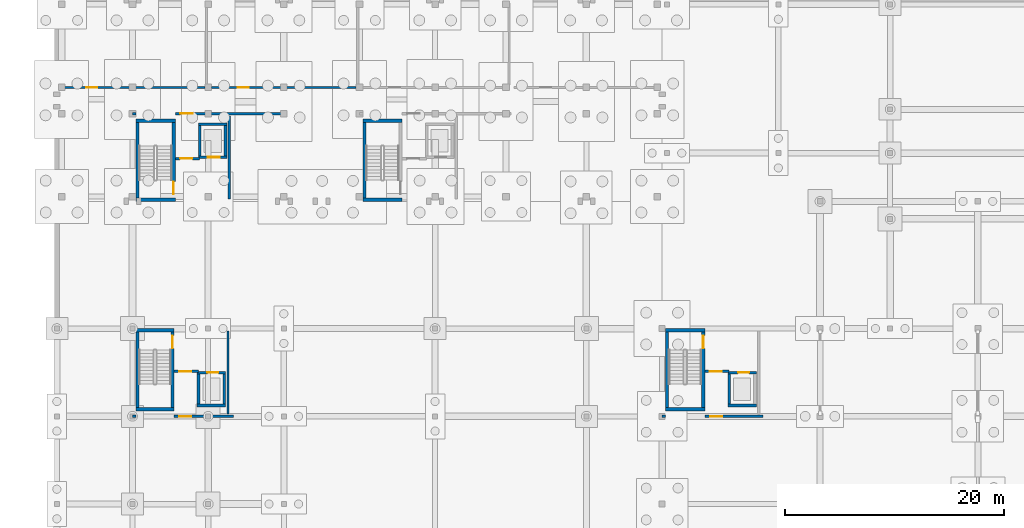
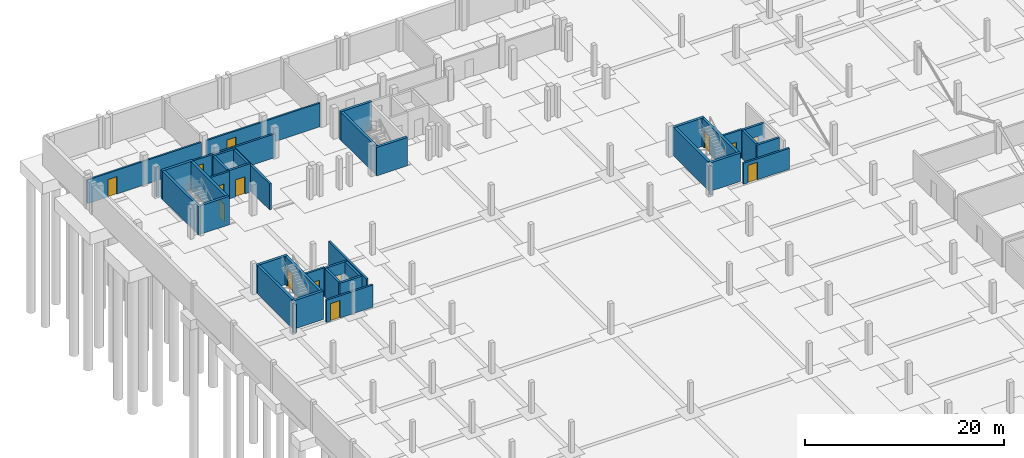
# One storey, part 21 of 38: 39 walls, 14 doors, 14 openings.
"""IFC4 building model written with IfcOpenShell, lengths in metres."""

from ifc_helpers import new_model, si_unit, direction, frame, frame_2d, origin, origin_with_axes, place, context, subcontext, project, spatial, rectangle, extrude, material, layer, layer_set, type_object, element, fill, save


model = new_model("IFC4")

# Units and contexts
model_context = context("Model", 3, precision=1e-05, world=origin(), true_north=direction((0.0, 1.0)))
body_context = subcontext(model_context, "Body", "Model", "MODEL_VIEW")
ifc_project = project(units=[si_unit("LENGTHUNIT", "METRE"), si_unit("AREAUNIT", "SQUARE_METRE"), si_unit("VOLUMEUNIT", "CUBIC_METRE"), si_unit("PLANEANGLEUNIT", "RADIAN"), si_unit("MASSUNIT", "GRAM", prefix="KILO")], contexts=[model_context])

# Site, building, storey
site_placement = place(None, origin())
site = spatial("IfcSite", under=ifc_project, at=site_placement, CompositionType="ELEMENT")
building_placement = place(site_placement, origin())
building = spatial("IfcBuilding", under=site, at=building_placement, Name="Zavelmont Quarter", CompositionType="ELEMENT")
storey_placement = place(building_placement, frame((0.0, 0.0, -3.800048828125)))
storey = spatial("IfcBuildingStorey", under=building, at=storey_placement, Name="B01", CompositionType="ELEMENT", Elevation=-3.800048828125)

# Wall, opening, door
ifc_material_1 = material(Name="Calcium-silicate blockwork and acoustic plaster", Category="masonry")
ifc_layer_1 = layer(ifc_material_1, 0.199951171875)
ifc_layer_set_1 = layer_set([ifc_layer_1], Name="Calcium-silicate blockwork and acoustic plaster")
wall_type_1 = type_object("IfcWallType", Name="IW01", PredefinedType="PARTITIONING", material=ifc_layer_set_1)
wall_1_placement = place(storey_placement, frame((0.300048828125, 108.0, 0.0), z_axis=(0.0, 0.0, 1.0), x_axis=(1.0, 0.0, 0.0)))
wall_1 = element("IfcWall", 1, at=wall_1_placement, inside=storey, type_object=wall_type_1, Name="B01 Basement storage wall IW01", PredefinedType="PARTITIONING", context=body_context, shape_type="SweptSolid", body=[
    extrude(rectangle(XDim=13.199951171875, YDim=0.199951171875, at=frame_2d((6.60009765625, 0.0))), origin(), (0.0, 0.0, 1.0), 2.920166015625),
])
opening_1_placement = place(wall_1_placement, frame((2.39990234375, 0.0, 0.0)))
opening_1 = element("IfcOpeningElement", 2, at=opening_1_placement, cuts=wall_1, Name="Opening DR07", PredefinedType="OPENING", context=body_context, shape_type="SweptSolid", body=[
    extrude(rectangle(XDim=1.0, YDim=2.14990234375, at=frame_2d((0.5, 1.074951171875))), frame((0.0, 0.11181640625, 0.0), z_axis=(0.0, -1.0, 0.0), x_axis=(1.0, 0.0, 0.0)), (0.0, 0.0, 1.0), 0.223876953125),
])
ifc_material_2 = material(Name="Solid-core oak fire leaf in steel frame", Category="steel")
door_type_1 = type_object("IfcDoorType", Name="DR07", OperationType="NOTDEFINED", PredefinedType="DOOR", material=ifc_material_2)
door_1_placement = place(opening_1_placement, frame((1.0, 0.0, 0.0), z_axis=(0.0, 0.0, 1.0), x_axis=(-1.0, 0.0, 0.0)))
door_1 = element("IfcDoor", 3, at=door_1_placement, inside=storey, type_object=door_type_1, Name="B01 door DR07", OperationType="SINGLE_SWING_RIGHT", OverallHeight=2.14990234375, OverallWidth=1.0, PredefinedType="DOOR", context=body_context, shape_type="SweptSolid", body=[
    extrude(rectangle(XDim=1.0, YDim=2.14990234375, at=frame_2d((0.5, 1.074951171875))), frame((0.0, 0.02490234375, 0.0), z_axis=(0.0, -1.0, 0.0), x_axis=(1.0, 0.0, 0.0)), (0.0, 0.0, 1.0), 0.050048828125),
])
fill(opening_1, door_1)

wall_2_placement = place(storey_placement, frame((14.10009765625, 108.0, 0.0), z_axis=(0.0, 0.0, 1.0), x_axis=(1.0, 0.0, 0.0)))
wall_2 = element("IfcWall", 4, at=wall_2_placement, inside=storey, type_object=wall_type_1, Name="B01 Basement storage wall IW01", PredefinedType="PARTITIONING", context=body_context, shape_type="SweptSolid", body=[
    extrude(rectangle(XDim=13.199951171875, YDim=0.199951171875, at=frame_2d((6.60009765625, 0.0))), origin(), (0.0, 0.0, 1.0), 2.920166015625),
])
opening_2_placement = place(wall_2_placement, frame((2.39990234375, 0.0, 0.0)))
opening_2 = element("IfcOpeningElement", 5, at=opening_2_placement, cuts=wall_2, Name="Opening DR07", PredefinedType="OPENING", context=body_context, shape_type="SweptSolid", body=[
    extrude(rectangle(XDim=1.0, YDim=2.14990234375, at=frame_2d((0.5, 1.074951171875))), frame((0.0, 0.11181640625, 0.0), z_axis=(0.0, -1.0, 0.0), x_axis=(1.0, 0.0, 0.0)), (0.0, 0.0, 1.0), 0.223876953125),
])
door_2_placement = place(opening_2_placement, origin_with_axes())
door_2 = element("IfcDoor", 6, at=door_2_placement, inside=storey, type_object=door_type_1, Name="B01 door DR07", OperationType="SINGLE_SWING_RIGHT", OverallHeight=2.14990234375, OverallWidth=1.0, PredefinedType="DOOR", context=body_context, shape_type="SweptSolid", body=[
    extrude(rectangle(XDim=1.0, YDim=2.14990234375, at=frame_2d((0.5, 1.074951171875))), frame((0.0, 0.02490234375, 0.0), z_axis=(0.0, -1.0, 0.0), x_axis=(1.0, 0.0, 0.0)), (0.0, 0.0, 1.0), 0.050048828125),
])
fill(opening_2, door_2)

# Wall
ifc_material_3 = material(Name="Reinforced masonry fire compartment wall", Category="masonry")
ifc_layer_2 = layer(ifc_material_3, 0.22509765625)
ifc_layer_set_2 = layer_set([ifc_layer_2], Name="Reinforced masonry fire compartment wall")
wall_type_2 = type_object("IfcWallType", Name="IW02", PredefinedType="PARTITIONING", material=ifc_layer_set_2)
wall_3_placement = place(storey_placement, frame((15.7099609375, 97.800048828125, 0.0), z_axis=(0.0, 0.0, 1.0), x_axis=(0.0, 1.0, 0.0)))
element("IfcWall", 7, at=wall_3_placement, inside=storey, type_object=wall_type_2, Name="B01 Firefighting lobby enclosure wall IW02", PredefinedType="PARTITIONING", context=body_context, shape_type="SweptSolid", body=[
    extrude(rectangle(XDim=7.599853515625, YDim=0.22509765625, at=frame_2d((3.7998046875, 0.0))), origin(), (0.0, 0.0, 1.0), 3.18994140625),
])

# Wall, opening, door
wall_4_placement = place(storey_placement, frame((10.800048828125, 101.5, 0.0), z_axis=(0.0, 0.0, 1.0), x_axis=(1.0, 0.0, 0.0)))
wall_4 = element("IfcWall", 8, at=wall_4_placement, inside=storey, type_object=wall_type_2, Name="B01 Firefighting lobby threshold wall IW02", PredefinedType="PARTITIONING", context=body_context, shape_type="SweptSolid", body=[
    extrude(rectangle(XDim=2.199951171875, YDim=0.22509765625, at=frame_2d((1.10009765625, 0.0))), origin(), (0.0, 0.0, 1.0), 3.47998046875),
])
opening_3_placement = place(wall_4_placement, frame((0.449951171875, 0.0, 0.0)))
opening_3 = element("IfcOpeningElement", 9, at=opening_3_placement, cuts=wall_4, Name="Opening DR10", PredefinedType="OPENING", context=body_context, shape_type="SweptSolid", body=[
    extrude(rectangle(XDim=1.10009765625, YDim=2.14990234375, at=frame_2d((0.550048828125, 1.074951171875))), frame((0.0, 0.12451171875, 0.0), z_axis=(0.0, -1.0, 0.0), x_axis=(1.0, 0.0, 0.0)), (0.0, 0.0, 1.0), 0.2490234375),
])
ifc_material_4 = material(Name="Painted steel lobby fire door", Category="steel")
door_type_2 = type_object("IfcDoorType", Name="DR10", OperationType="NOTDEFINED", PredefinedType="DOOR", material=ifc_material_4)
door_3_placement = place(opening_3_placement, frame((1.10009765625, 0.0, 0.0), z_axis=(0.0, 0.0, 1.0), x_axis=(-1.0, 0.0, 0.0)))
door_3 = element("IfcDoor", 10, at=door_3_placement, inside=storey, type_object=door_type_2, Name="Firefighting lobby fire door", OperationType="SINGLE_SWING_LEFT", OverallHeight=2.14990234375, OverallWidth=1.10009765625, PredefinedType="DOOR", context=body_context, shape_type="SweptSolid", body=[
    extrude(rectangle(XDim=1.10009765625, YDim=2.14990234375, at=frame_2d((0.550048828125, 1.074951171875))), frame((0.0, 0.02490234375, 0.0), z_axis=(0.0, -1.0, 0.0), x_axis=(1.0, 0.0, 0.0)), (0.0, 0.0, 1.0), 0.050048828125),
])
fill(opening_3, door_3)

# Wall
wall_5_placement = place(storey_placement, frame((6.89990234375, 105.60009765625, 0.0), z_axis=(0.0, 0.0, 1.0), x_axis=(1.0, 0.0, 0.0)))
element("IfcWall", 11, at=wall_5_placement, inside=storey, type_object=wall_type_2, Name="B01 Core corridor wall IW02", PredefinedType="PARTITIONING", context=body_context, shape_type="SweptSolid", body=[
    extrude(rectangle(XDim=0.300048828125, YDim=0.22509765625, at=frame_2d((0.14990234375, 0.0))), origin(), (0.0, 0.0, 1.0), 3.47998046875),
])

# Wall, opening, door
wall_6_placement = place(storey_placement, frame((10.800048828125, 105.60009765625, 0.0), z_axis=(0.0, 0.0, 1.0), x_axis=(1.0, 0.0, 0.0)))
wall_6 = element("IfcWall", 12, at=wall_6_placement, inside=storey, type_object=wall_type_2, Name="B01 Core corridor fire wall IW02", PredefinedType="PARTITIONING", context=body_context, shape_type="SweptSolid", body=[
    extrude(rectangle(XDim=9.89990234375, YDim=0.22509765625, at=frame_2d((4.949951171875, 0.0))), origin(), (0.0, 0.0, 1.0), 2.920166015625),
])
opening_4_placement = place(wall_6_placement, frame((0.47509765625, 0.0, 0.0)))
opening_4 = element("IfcOpeningElement", 13, at=opening_4_placement, cuts=wall_6, Name="Opening DR10", PredefinedType="OPENING", context=body_context, shape_type="SweptSolid", body=[
    extrude(rectangle(XDim=1.10009765625, YDim=2.14990234375, at=frame_2d((0.550048828125, 1.074951171875))), frame((0.0, 0.12451171875, 0.0), z_axis=(0.0, -1.0, 0.0), x_axis=(1.0, 0.0, 0.0)), (0.0, 0.0, 1.0), 0.2490234375),
])
door_4_placement = place(opening_4_placement, frame((1.10009765625, 0.0, 0.0), z_axis=(0.0, 0.0, 1.0), x_axis=(-1.0, 0.0, 0.0)))
door_4 = element("IfcDoor", 14, at=door_4_placement, inside=storey, type_object=door_type_2, Name="Core vestibule fire door", OperationType="SINGLE_SWING_RIGHT", OverallHeight=2.14990234375, OverallWidth=1.10009765625, PredefinedType="DOOR", context=body_context, shape_type="SweptSolid", body=[
    extrude(rectangle(XDim=1.10009765625, YDim=2.14990234375, at=frame_2d((0.550048828125, 1.074951171875))), frame((0.0, 0.02490234375, 0.0), z_axis=(0.0, -1.0, 0.0), x_axis=(1.0, 0.0, 0.0)), (0.0, 0.0, 1.0), 0.050048828125),
])
fill(opening_4, door_4)

wall_7_placement = place(storey_placement, frame((59.10009765625, 82.10009765625, 0.0), z_axis=(0.0, 0.0, 1.0), x_axis=(1.0, 0.0, 0.0)))
wall_7 = element("IfcWall", 15, at=wall_7_placement, inside=storey, type_object=wall_type_2, Name="B01 Firefighting lobby threshold wall IW02", PredefinedType="PARTITIONING", context=body_context, shape_type="SweptSolid", body=[
    extrude(rectangle(XDim=2.199951171875, YDim=0.22509765625, at=frame_2d((1.10009765625, 0.0))), origin(), (0.0, 0.0, 1.0), 3.47998046875),
])
opening_5_placement = place(wall_7_placement, frame((0.449951171875, 0.0, 0.0)))
opening_5 = element("IfcOpeningElement", 16, at=opening_5_placement, cuts=wall_7, Name="Opening DR10", PredefinedType="OPENING", context=body_context, shape_type="SweptSolid", body=[
    extrude(rectangle(XDim=1.10009765625, YDim=2.14990234375, at=frame_2d((0.550048828125, 1.074951171875))), frame((0.0, 0.12451171875, 0.0), z_axis=(0.0, -1.0, 0.0), x_axis=(1.0, 0.0, 0.0)), (0.0, 0.0, 1.0), 0.2490234375),
])
door_5_placement = place(opening_5_placement, origin_with_axes())
door_5 = element("IfcDoor", 17, at=door_5_placement, inside=storey, type_object=door_type_2, Name="Firefighting lobby fire door", OperationType="SINGLE_SWING_LEFT", OverallHeight=2.14990234375, OverallWidth=1.10009765625, PredefinedType="DOOR", context=body_context, shape_type="SweptSolid", body=[
    extrude(rectangle(XDim=1.10009765625, YDim=2.14990234375, at=frame_2d((0.550048828125, 1.074951171875))), frame((0.0, 0.02490234375, 0.0), z_axis=(0.0, -1.0, 0.0), x_axis=(1.0, 0.0, 0.0)), (0.0, 0.0, 1.0), 0.050048828125),
])
fill(opening_5, door_5)

# Wall
wall_8_placement = place(storey_placement, frame((55.199951171875, 78.0, 0.0), z_axis=(0.0, 0.0, 1.0), x_axis=(1.0, 0.0, 0.0)))
element("IfcWall", 18, at=wall_8_placement, inside=storey, type_object=wall_type_2, Name="B01 Core corridor wall IW02", PredefinedType="PARTITIONING", context=body_context, shape_type="SweptSolid", body=[
    extrude(rectangle(XDim=0.300048828125, YDim=0.22509765625, at=frame_2d((0.14990234375, 0.0))), origin(), (0.0, 0.0, 1.0), 3.47998046875),
])

# Wall, opening, door
wall_9_placement = place(storey_placement, frame((59.10009765625, 78.0, 0.0), z_axis=(0.0, 0.0, 1.0), x_axis=(1.0, 0.0, 0.0)))
wall_9 = element("IfcWall", 19, at=wall_9_placement, inside=storey, type_object=wall_type_2, Name="B01 Core corridor fire wall IW02", PredefinedType="PARTITIONING", context=body_context, shape_type="SweptSolid", body=[
    extrude(rectangle(XDim=5.2998046875, YDim=0.22509765625, at=frame_2d((2.64990234375, 0.0))), origin(), (0.0, 0.0, 1.0), 2.570068359375),
])
opening_6_placement = place(wall_9_placement, frame((0.47509765625, 0.0, 0.0)))
opening_6 = element("IfcOpeningElement", 20, at=opening_6_placement, cuts=wall_9, Name="Opening DR10", PredefinedType="OPENING", context=body_context, shape_type="SweptSolid", body=[
    extrude(rectangle(XDim=1.10009765625, YDim=2.14990234375, at=frame_2d((0.550048828125, 1.074951171875))), frame((0.0, 0.12451171875, 0.0), z_axis=(0.0, -1.0, 0.0), x_axis=(1.0, 0.0, 0.0)), (0.0, 0.0, 1.0), 0.2490234375),
])
door_6_placement = place(opening_6_placement, origin_with_axes())
door_6 = element("IfcDoor", 21, at=door_6_placement, inside=storey, type_object=door_type_2, Name="Core vestibule fire door", OperationType="SINGLE_SWING_RIGHT", OverallHeight=2.14990234375, OverallWidth=1.10009765625, PredefinedType="DOOR", context=body_context, shape_type="SweptSolid", body=[
    extrude(rectangle(XDim=1.10009765625, YDim=2.14990234375, at=frame_2d((0.550048828125, 1.074951171875))), frame((0.0, 0.02490234375, 0.0), z_axis=(0.0, -1.0, 0.0), x_axis=(1.0, 0.0, 0.0)), (0.0, 0.0, 1.0), 0.050048828125),
])
fill(opening_6, door_6)

# Wall
wall_10_placement = place(storey_placement, frame((15.610107421875, 78.199951171875, 0.0), z_axis=(0.0, 0.0, 1.0), x_axis=(0.0, 1.0, 0.0)))
element("IfcWall", 22, at=wall_10_placement, inside=storey, type_object=wall_type_2, Name="B01 Firefighting lobby enclosure wall IW02", PredefinedType="PARTITIONING", context=body_context, shape_type="SweptSolid", body=[
    extrude(rectangle(XDim=7.60009765625, YDim=0.22509765625, at=frame_2d((3.800048828125, 0.0))), origin(), (0.0, 0.0, 1.0), 3.47998046875),
])

# Wall, opening, door
wall_11_placement = place(storey_placement, frame((10.699951171875, 82.10009765625, 0.0), z_axis=(0.0, 0.0, 1.0), x_axis=(1.0, 0.0, 0.0)))
wall_11 = element("IfcWall", 23, at=wall_11_placement, inside=storey, type_object=wall_type_2, Name="B01 Firefighting lobby threshold wall IW02", PredefinedType="PARTITIONING", context=body_context, shape_type="SweptSolid", body=[
    extrude(rectangle(XDim=2.199951171875, YDim=0.22509765625, at=frame_2d((1.10009765625, 0.0))), origin(), (0.0, 0.0, 1.0), 3.47998046875),
])
opening_7_placement = place(wall_11_placement, frame((0.449951171875, 0.0, 0.0)))
opening_7 = element("IfcOpeningElement", 24, at=opening_7_placement, cuts=wall_11, Name="Opening DR10", PredefinedType="OPENING", context=body_context, shape_type="SweptSolid", body=[
    extrude(rectangle(XDim=1.10009765625, YDim=2.14990234375, at=frame_2d((0.550048828125, 1.074951171875))), frame((0.0, 0.12451171875, 0.0), z_axis=(0.0, -1.0, 0.0), x_axis=(1.0, 0.0, 0.0)), (0.0, 0.0, 1.0), 0.2490234375),
])
door_7_placement = place(opening_7_placement, origin_with_axes())
door_7 = element("IfcDoor", 25, at=door_7_placement, inside=storey, type_object=door_type_2, Name="Firefighting lobby fire door", OperationType="SINGLE_SWING_RIGHT", OverallHeight=2.14990234375, OverallWidth=1.10009765625, PredefinedType="DOOR", context=body_context, shape_type="SweptSolid", body=[
    extrude(rectangle(XDim=1.10009765625, YDim=2.14990234375, at=frame_2d((0.550048828125, 1.074951171875))), frame((0.0, 0.02490234375, 0.0), z_axis=(0.0, -1.0, 0.0), x_axis=(1.0, 0.0, 0.0)), (0.0, 0.0, 1.0), 0.050048828125),
])
fill(opening_7, door_7)

# Wall
wall_12_placement = place(storey_placement, frame((6.89990234375, 78.0, 0.0), z_axis=(0.0, 0.0, 1.0), x_axis=(1.0, 0.0, 0.0)))
element("IfcWall", 26, at=wall_12_placement, inside=storey, type_object=wall_type_2, Name="B01 Core corridor wall IW02", PredefinedType="PARTITIONING", context=body_context, shape_type="SweptSolid", body=[
    extrude(rectangle(XDim=0.300048828125, YDim=0.22509765625, at=frame_2d((0.14990234375, 0.0))), origin(), (0.0, 0.0, 1.0), 3.47998046875),
])

# Wall, opening, door
wall_13_placement = place(storey_placement, frame((10.699951171875, 78.0, 0.0), z_axis=(0.0, 0.0, 1.0), x_axis=(1.0, 0.0, 0.0)))
wall_13 = element("IfcWall", 27, at=wall_13_placement, inside=storey, type_object=wall_type_2, Name="B01 Core corridor fire wall IW02", PredefinedType="PARTITIONING", context=body_context, shape_type="SweptSolid", body=[
    extrude(rectangle(XDim=5.400146484375, YDim=0.22509765625, at=frame_2d((2.7001953125, 0.0))), origin(), (0.0, 0.0, 1.0), 2.719970703125),
])
opening_8_placement = place(wall_13_placement, frame((0.47509765625, 0.0, 0.0)))
opening_8 = element("IfcOpeningElement", 28, at=opening_8_placement, cuts=wall_13, Name="Opening DR10", PredefinedType="OPENING", context=body_context, shape_type="SweptSolid", body=[
    extrude(rectangle(XDim=1.10009765625, YDim=2.14990234375, at=frame_2d((0.550048828125, 1.074951171875))), frame((0.0, 0.12451171875, 0.0), z_axis=(0.0, -1.0, 0.0), x_axis=(1.0, 0.0, 0.0)), (0.0, 0.0, 1.0), 0.2490234375),
])
door_8_placement = place(opening_8_placement, origin_with_axes())
door_8 = element("IfcDoor", 29, at=door_8_placement, inside=storey, type_object=door_type_2, Name="Core vestibule fire door", OperationType="SINGLE_SWING_LEFT", OverallHeight=2.14990234375, OverallWidth=1.10009765625, PredefinedType="DOOR", context=body_context, shape_type="SweptSolid", body=[
    extrude(rectangle(XDim=1.10009765625, YDim=2.14990234375, at=frame_2d((0.550048828125, 1.074951171875))), frame((0.0, 0.02490234375, 0.0), z_axis=(0.0, -1.0, 0.0), x_axis=(1.0, 0.0, 0.0)), (0.0, 0.0, 1.0), 0.050048828125),
])
fill(opening_8, door_8)

# Walls
ifc_material_5 = material(Name="Concrete C40/50", Category="concrete")
ifc_layer_3 = layer(ifc_material_5, 0.300048828125)
ifc_layer_set_3 = layer_set([ifc_layer_3], Name="Concrete C40/50")
wall_type_3 = type_object("IfcWallType", Name="SW01", PredefinedType="SHEAR", material=ifc_layer_set_3)
for number, where, z_axis, x_axis, name in (
    (30, (7.199951171875, 97.75, 0.0), (0.0, 0.0, 1.0), (1.0, 0.0, 0.0), "B01 ST03 outer shear wall SW01"),
    (31, (7.199951171875, 104.949951171875, 0.0), (0.0, 0.0, 1.0), (1.0, 0.0, 0.0), "B01 ST03 corridor shear wall SW01"),
):
    element("IfcWall", number, at=place(storey_placement, frame(where, z_axis=z_axis, x_axis=x_axis)), inside=storey, type_object=wall_type_3, Name=name, PredefinedType="SHEAR", context=body_context, shape_type="SweptSolid", body=[
        extrude(rectangle(XDim=3.60009765625, YDim=0.300048828125, at=frame_2d((1.800048828125, 0.0))), origin(), (0.0, 0.0, 1.0), 3.47998046875),
    ])
wall_14_placement = place(storey_placement, frame((7.35009765625, 97.60009765625, 0.0), z_axis=(0.0, 0.0, 1.0), x_axis=(0.0, 1.0, 0.0)))
element("IfcWall", 32, at=wall_14_placement, inside=storey, type_object=wall_type_3, Name="B01 ST03 west shear wall SW01", PredefinedType="SHEAR", context=body_context, shape_type="SweptSolid", body=[
    extrude(rectangle(XDim=7.5, YDim=0.300048828125, at=frame_2d((3.75, 0.0))), origin(), (0.0, 0.0, 1.0), 3.47998046875),
])

# Wall, opening, door
wall_15_placement = place(storey_placement, frame((10.64990234375, 97.60009765625, 0.0), z_axis=(0.0, 0.0, 1.0), x_axis=(0.0, 1.0, 0.0)))
wall_15 = element("IfcWall", 33, at=wall_15_placement, inside=storey, type_object=wall_type_3, Name="B01 ST03 lobby shear wall SW01", PredefinedType="SHEAR", context=body_context, shape_type="SweptSolid", body=[
    extrude(rectangle(XDim=7.5, YDim=0.300048828125, at=frame_2d((3.75, 0.0))), origin(), (0.0, 0.0, 1.0), 3.47998046875),
])
opening_9_placement = place(wall_15_placement, frame((0.64990234375, 0.0, 0.0)))
opening_9 = element("IfcOpeningElement", 34, at=opening_9_placement, cuts=wall_15, Name="Opening DR09", PredefinedType="OPENING", context=body_context, shape_type="SweptSolid", body=[
    extrude(rectangle(XDim=1.14990234375, YDim=2.14990234375, at=frame_2d((0.574951171875, 1.074951171875))), frame((0.0, 0.162109375, 0.0), z_axis=(0.0, -1.0, 0.0), x_axis=(1.0, 0.0, 0.0)), (0.0, 0.0, 1.0), 0.323974609375),
])
ifc_material_6 = material(Name="Painted steel stair-core fire door", Category="steel")
door_type_3 = type_object("IfcDoorType", Name="DR09", OperationType="NOTDEFINED", PredefinedType="DOOR", material=ifc_material_6)
door_9_placement = place(opening_9_placement, origin_with_axes())
door_9 = element("IfcDoor", 35, at=door_9_placement, inside=storey, type_object=door_type_3, Name="ST03 protected stair door", OperationType="SINGLE_SWING_RIGHT", OverallHeight=2.14990234375, OverallWidth=1.14990234375, PredefinedType="DOOR", context=body_context, shape_type="SweptSolid", body=[
    extrude(rectangle(XDim=1.14990234375, YDim=2.14990234375, at=frame_2d((0.574951171875, 1.074951171875))), frame((0.0, 0.02490234375, 0.0), z_axis=(0.0, -1.0, 0.0), x_axis=(1.0, 0.0, 0.0)), (0.0, 0.0, 1.0), 0.050048828125),
])
fill(opening_9, door_9)

# Walls
for number, where, z_axis, x_axis, name in (
    (36, (27.89990234375, 97.75, 0.0), (0.0, 0.0, 1.0), (1.0, 0.0, 0.0), "B01 ST04 outer shear wall SW01"),
    (37, (27.89990234375, 104.949951171875, 0.0), (0.0, 0.0, 1.0), (1.0, 0.0, 0.0), "B01 ST04 corridor shear wall SW01"),
):
    element("IfcWall", number, at=place(storey_placement, frame(where, z_axis=z_axis, x_axis=x_axis)), inside=storey, type_object=wall_type_3, Name=name, PredefinedType="SHEAR", context=body_context, shape_type="SweptSolid", body=[
        extrude(rectangle(XDim=3.60009765625, YDim=0.300048828125, at=frame_2d((1.800048828125, 0.0))), origin(), (0.0, 0.0, 1.0), 3.47998046875),
    ])
wall_16_placement = place(storey_placement, frame((28.050048828125, 97.60009765625, 0.0), z_axis=(0.0, 0.0, 1.0), x_axis=(0.0, 1.0, 0.0)))
element("IfcWall", 38, at=wall_16_placement, inside=storey, type_object=wall_type_3, Name="B01 ST04 west shear wall SW01", PredefinedType="SHEAR", context=body_context, shape_type="SweptSolid", body=[
    extrude(rectangle(XDim=7.5, YDim=0.300048828125, at=frame_2d((3.75, 0.0))), origin(), (0.0, 0.0, 1.0), 3.47998046875),
])
for number, where, z_axis, x_axis, name in (
    (39, (55.5, 85.85009765625, 0.0), (0.0, 0.0, 1.0), (1.0, 0.0, 0.0), "B01 ST09 outer shear wall SW01"),
    (40, (55.5, 78.64990234375, 0.0), (0.0, 0.0, 1.0), (1.0, 0.0, 0.0), "B01 ST09 corridor shear wall SW01"),
):
    element("IfcWall", number, at=place(storey_placement, frame(where, z_axis=z_axis, x_axis=x_axis)), inside=storey, type_object=wall_type_3, Name=name, PredefinedType="SHEAR", context=body_context, shape_type="SweptSolid", body=[
        extrude(rectangle(XDim=3.60009765625, YDim=0.300048828125, at=frame_2d((1.800048828125, 0.0))), origin(), (0.0, 0.0, 1.0), 3.47998046875),
    ])
wall_17_placement = place(storey_placement, frame((55.64990234375, 78.5, 0.0), z_axis=(0.0, 0.0, 1.0), x_axis=(0.0, 1.0, 0.0)))
element("IfcWall", 41, at=wall_17_placement, inside=storey, type_object=wall_type_3, Name="B01 ST09 west shear wall SW01", PredefinedType="SHEAR", context=body_context, shape_type="SweptSolid", body=[
    extrude(rectangle(XDim=7.5, YDim=0.300048828125, at=frame_2d((3.75, 0.0))), origin(), (0.0, 0.0, 1.0), 3.47998046875),
])

# Wall, opening, door
wall_18_placement = place(storey_placement, frame((58.949951171875, 78.5, 0.0), z_axis=(0.0, 0.0, 1.0), x_axis=(0.0, 1.0, 0.0)))
wall_18 = element("IfcWall", 42, at=wall_18_placement, inside=storey, type_object=wall_type_3, Name="B01 ST09 lobby shear wall SW01", PredefinedType="SHEAR", context=body_context, shape_type="SweptSolid", body=[
    extrude(rectangle(XDim=7.5, YDim=0.300048828125, at=frame_2d((3.75, 0.0))), origin(), (0.0, 0.0, 1.0), 3.47998046875),
])
opening_10_placement = place(wall_18_placement, frame((5.699951171875, 0.0, 0.0)))
opening_10 = element("IfcOpeningElement", 43, at=opening_10_placement, cuts=wall_18, Name="Opening DR09", PredefinedType="OPENING", context=body_context, shape_type="SweptSolid", body=[
    extrude(rectangle(XDim=1.14990234375, YDim=2.14990234375, at=frame_2d((0.574951171875, 1.074951171875))), frame((0.0, 0.162109375, 0.0), z_axis=(0.0, -1.0, 0.0), x_axis=(1.0, 0.0, 0.0)), (0.0, 0.0, 1.0), 0.323974609375),
])
door_10_placement = place(opening_10_placement, origin_with_axes())
door_10 = element("IfcDoor", 44, at=door_10_placement, inside=storey, type_object=door_type_3, Name="ST09 protected stair door", OperationType="SINGLE_SWING_LEFT", OverallHeight=2.14990234375, OverallWidth=1.14990234375, PredefinedType="DOOR", context=body_context, shape_type="SweptSolid", body=[
    extrude(rectangle(XDim=1.14990234375, YDim=2.14990234375, at=frame_2d((0.574951171875, 1.074951171875))), frame((0.0, 0.02490234375, 0.0), z_axis=(0.0, -1.0, 0.0), x_axis=(1.0, 0.0, 0.0)), (0.0, 0.0, 1.0), 0.050048828125),
])
fill(opening_10, door_10)

# Walls
for number, where, z_axis, x_axis, name in (
    (45, (7.199951171875, 85.85009765625, 0.0), (0.0, 0.0, 1.0), (1.0, 0.0, 0.0), "B01 ST14 outer shear wall SW01"),
    (46, (7.199951171875, 78.64990234375, 0.0), (0.0, 0.0, 1.0), (1.0, 0.0, 0.0), "B01 ST14 corridor shear wall SW01"),
):
    element("IfcWall", number, at=place(storey_placement, frame(where, z_axis=z_axis, x_axis=x_axis)), inside=storey, type_object=wall_type_3, Name=name, PredefinedType="SHEAR", context=body_context, shape_type="SweptSolid", body=[
        extrude(rectangle(XDim=3.5, YDim=0.300048828125, at=frame_2d((1.75, 0.0))), origin(), (0.0, 0.0, 1.0), 3.47998046875),
    ])
wall_19_placement = place(storey_placement, frame((7.35009765625, 78.5, 0.0), z_axis=(0.0, 0.0, 1.0), x_axis=(0.0, 1.0, 0.0)))
element("IfcWall", 47, at=wall_19_placement, inside=storey, type_object=wall_type_3, Name="B01 ST14 west shear wall SW01", PredefinedType="SHEAR", context=body_context, shape_type="SweptSolid", body=[
    extrude(rectangle(XDim=7.5, YDim=0.300048828125, at=frame_2d((3.75, 0.0))), origin(), (0.0, 0.0, 1.0), 3.47998046875),
])

# Wall, opening, door
wall_20_placement = place(storey_placement, frame((10.550048828125, 78.5, 0.0), z_axis=(0.0, 0.0, 1.0), x_axis=(0.0, 1.0, 0.0)))
wall_20 = element("IfcWall", 48, at=wall_20_placement, inside=storey, type_object=wall_type_3, Name="B01 ST14 lobby shear wall SW01", PredefinedType="SHEAR", context=body_context, shape_type="SweptSolid", body=[
    extrude(rectangle(XDim=7.5, YDim=0.300048828125, at=frame_2d((3.75, 0.0))), origin(), (0.0, 0.0, 1.0), 3.47998046875),
])
opening_11_placement = place(wall_20_placement, frame((5.699951171875, 0.0, 0.0)))
opening_11 = element("IfcOpeningElement", 49, at=opening_11_placement, cuts=wall_20, Name="Opening DR09", PredefinedType="OPENING", context=body_context, shape_type="SweptSolid", body=[
    extrude(rectangle(XDim=1.14990234375, YDim=2.14990234375, at=frame_2d((0.574951171875, 1.074951171875))), frame((0.0, 0.162109375, 0.0), z_axis=(0.0, -1.0, 0.0), x_axis=(1.0, 0.0, 0.0)), (0.0, 0.0, 1.0), 0.323974609375),
])
door_11_placement = place(opening_11_placement, origin_with_axes())
door_11 = element("IfcDoor", 50, at=door_11_placement, inside=storey, type_object=door_type_3, Name="ST14 protected stair door", OperationType="SINGLE_SWING_LEFT", OverallHeight=2.14990234375, OverallWidth=1.14990234375, PredefinedType="DOOR", context=body_context, shape_type="SweptSolid", body=[
    extrude(rectangle(XDim=1.14990234375, YDim=2.14990234375, at=frame_2d((0.574951171875, 1.074951171875))), frame((0.0, 0.02490234375, 0.0), z_axis=(0.0, -1.0, 0.0), x_axis=(1.0, 0.0, 0.0)), (0.0, 0.0, 1.0), 0.050048828125),
])
fill(opening_11, door_11)

ifc_layer_4 = layer(ifc_material_5, 0.25)
ifc_layer_set_4 = layer_set([ifc_layer_4], Name="Concrete C40/50")
wall_type_4 = type_object("IfcWallType", Name="SW02", PredefinedType="SHEAR", material=ifc_layer_set_4)
wall_21_placement = place(storey_placement, frame((12.89990234375, 101.625, 0.0), z_axis=(0.0, 0.0, 1.0), x_axis=(1.0, 0.0, 0.0)))
wall_21 = element("IfcWall", 51, at=wall_21_placement, inside=storey, type_object=wall_type_4, Name="B01 Lift FL02 landing shaft wall SW02", PredefinedType="SHEAR", context=body_context, shape_type="SweptSolid", body=[
    extrude(rectangle(XDim=2.60009765625, YDim=0.25, at=frame_2d((1.300048828125, 0.0))), origin(), (0.0, 0.0, 1.0), 3.47998046875),
])
opening_12_placement = place(wall_21_placement, frame((0.875, 0.0, 0.0)))
opening_12 = element("IfcOpeningElement", 52, at=opening_12_placement, cuts=wall_21, Name="Opening LD02", PredefinedType="OPENING", context=body_context, shape_type="SweptSolid", body=[
    extrude(rectangle(XDim=1.10009765625, YDim=2.10009765625, at=frame_2d((0.550048828125, 1.050048828125))), frame((0.0, 0.136962890625, 0.0), z_axis=(0.0, -1.0, 0.0), x_axis=(1.0, 0.0, 0.0)), (0.0, 0.0, 1.0), 0.27392578125),
])
ifc_material_7 = material(Name="Brushed stainless-steel firefighting lift landing door", Category="steel")
door_type_4 = type_object("IfcDoorType", Name="LD02", OperationType="SLIDING_TO_LEFT", PredefinedType="DOOR", material=ifc_material_7)
door_12_placement = place(opening_12_placement, origin_with_axes())
door_12 = element("IfcDoor", 53, at=door_12_placement, inside=storey, type_object=door_type_4, Name="Lift FL02 sliding landing door", OperationType="SLIDING_TO_LEFT", OverallHeight=2.10009765625, OverallWidth=1.10009765625, PredefinedType="DOOR", context=body_context, shape_type="SweptSolid", body=[
    extrude(rectangle(XDim=1.10009765625, YDim=2.10009765625, at=frame_2d((0.550048828125, 1.050048828125))), frame((0.0, 0.02490234375, 0.0), z_axis=(0.0, -1.0, 0.0), x_axis=(1.0, 0.0, 0.0)), (0.0, 0.0, 1.0), 0.050048828125),
])
fill(opening_12, door_12)

# Walls
wall_22_placement = place(storey_placement, frame((12.89990234375, 104.625, 0.0), z_axis=(0.0, 0.0, 1.0), x_axis=(1.0, 0.0, 0.0)))
element("IfcWall", 54, at=wall_22_placement, inside=storey, type_object=wall_type_4, Name="B01 Lift FL02 back shaft wall SW02", PredefinedType="SHEAR", context=body_context, shape_type="SweptSolid", body=[
    extrude(rectangle(XDim=2.60009765625, YDim=0.25, at=frame_2d((1.300048828125, 0.0))), origin(), (0.0, 0.0, 1.0), 3.47998046875),
])
for number, where, z_axis, x_axis, name in (
    (55, (13.02490234375, 101.5, 0.0), (0.0, 0.0, 1.0), (0.0, 1.0, 0.0), "B01 Lift FL02 west shaft wall SW02"),
    (56, (15.375, 101.5, 0.0), (0.0, 0.0, 1.0), (0.0, 1.0, 0.0), "B01 Lift FL02 east shaft wall SW02"),
):
    element("IfcWall", number, at=place(storey_placement, frame(where, z_axis=z_axis, x_axis=x_axis)), inside=storey, type_object=wall_type_4, Name=name, PredefinedType="SHEAR", context=body_context, shape_type="SweptSolid", body=[
        extrude(rectangle(XDim=3.25, YDim=0.25, at=frame_2d((1.625, 0.0))), origin(), (0.0, 0.0, 1.0), 3.47998046875),
    ])

# Wall, opening, door
wall_23_placement = place(storey_placement, frame((61.199951171875, 81.97509765625, 0.0), z_axis=(0.0, 0.0, 1.0), x_axis=(1.0, 0.0, 0.0)))
wall_23 = element("IfcWall", 57, at=wall_23_placement, inside=storey, type_object=wall_type_4, Name="B01 Lift LF09 landing shaft wall SW02", PredefinedType="SHEAR", context=body_context, shape_type="SweptSolid", body=[
    extrude(rectangle(XDim=2.60009765625, YDim=0.25, at=frame_2d((1.300048828125, 0.0))), origin(), (0.0, 0.0, 1.0), 3.47998046875),
])
opening_13_placement = place(wall_23_placement, frame((0.925048828125, 0.0, 0.0)))
opening_13 = element("IfcOpeningElement", 58, at=opening_13_placement, cuts=wall_23, Name="Opening LD01", PredefinedType="OPENING", context=body_context, shape_type="SweptSolid", body=[
    extrude(rectangle(XDim=1.0, YDim=2.10009765625, at=frame_2d((0.5, 1.050048828125))), frame((0.0, 0.136962890625, 0.0), z_axis=(0.0, -1.0, 0.0), x_axis=(1.0, 0.0, 0.0)), (0.0, 0.0, 1.0), 0.27392578125),
])
ifc_material_8 = material(Name="Brushed stainless-steel automatic sliding landing door", Category="steel")
door_type_5 = type_object("IfcDoorType", Name="LD01", OperationType="SLIDING_TO_LEFT", PredefinedType="DOOR", material=ifc_material_8)
door_13_placement = place(opening_13_placement, origin_with_axes())
door_13 = element("IfcDoor", 59, at=door_13_placement, inside=storey, type_object=door_type_5, Name="Lift LF09 sliding landing door", OperationType="SLIDING_TO_LEFT", OverallHeight=2.10009765625, OverallWidth=1.0, PredefinedType="DOOR", context=body_context, shape_type="SweptSolid", body=[
    extrude(rectangle(XDim=1.0, YDim=2.10009765625, at=frame_2d((0.5, 1.050048828125))), frame((0.0, 0.02490234375, 0.0), z_axis=(0.0, -1.0, 0.0), x_axis=(1.0, 0.0, 0.0)), (0.0, 0.0, 1.0), 0.050048828125),
])
fill(opening_13, door_13)

# Walls
wall_24_placement = place(storey_placement, frame((61.199951171875, 78.97509765625, 0.0), z_axis=(0.0, 0.0, 1.0), x_axis=(1.0, 0.0, 0.0)))
element("IfcWall", 60, at=wall_24_placement, inside=storey, type_object=wall_type_4, Name="B01 Lift LF09 back shaft wall SW02", PredefinedType="SHEAR", context=body_context, shape_type="SweptSolid", body=[
    extrude(rectangle(XDim=2.60009765625, YDim=0.25, at=frame_2d((1.300048828125, 0.0))), origin(), (0.0, 0.0, 1.0), 3.47998046875),
])
wall_25_placement = place(storey_placement, frame((61.324951171875, 78.85009765625, 0.0), z_axis=(0.0, 0.0, 1.0), x_axis=(0.0, 1.0, 0.0)))
element("IfcWall", 61, at=wall_25_placement, inside=storey, type_object=wall_type_4, Name="B01 Lift LF09 west shaft wall SW02", PredefinedType="SHEAR", context=body_context, shape_type="SweptSolid", body=[
    extrude(rectangle(XDim=3.25, YDim=0.25, at=frame_2d((1.625, 0.0))), origin(), (0.0, 0.0, 1.0), 3.47998046875),
])

# Wall, opening, door
wall_26_placement = place(storey_placement, frame((12.800048828125, 81.97509765625, 0.0), z_axis=(0.0, 0.0, 1.0), x_axis=(1.0, 0.0, 0.0)))
wall_26 = element("IfcWall", 62, at=wall_26_placement, inside=storey, type_object=wall_type_4, Name="B01 Lift LF12 landing shaft wall SW02", PredefinedType="SHEAR", context=body_context, shape_type="SweptSolid", body=[
    extrude(rectangle(XDim=2.599853515625, YDim=0.25, at=frame_2d((1.2998046875, 0.0))), origin(), (0.0, 0.0, 1.0), 3.47998046875),
])
opening_14_placement = place(wall_26_placement, frame((0.925048828125, 0.0, 0.0)))
opening_14 = element("IfcOpeningElement", 63, at=opening_14_placement, cuts=wall_26, Name="Opening LD01", PredefinedType="OPENING", context=body_context, shape_type="SweptSolid", body=[
    extrude(rectangle(XDim=1.0, YDim=2.10009765625, at=frame_2d((0.5, 1.050048828125))), frame((0.0, 0.136962890625, 0.0), z_axis=(0.0, -1.0, 0.0), x_axis=(1.0, 0.0, 0.0)), (0.0, 0.0, 1.0), 0.27392578125),
])
door_14_placement = place(opening_14_placement, origin_with_axes())
door_14 = element("IfcDoor", 64, at=door_14_placement, inside=storey, type_object=door_type_5, Name="Lift LF12 sliding landing door", OperationType="SLIDING_TO_LEFT", OverallHeight=2.10009765625, OverallWidth=1.0, PredefinedType="DOOR", context=body_context, shape_type="SweptSolid", body=[
    extrude(rectangle(XDim=1.0, YDim=2.10009765625, at=frame_2d((0.5, 1.050048828125))), frame((0.0, 0.02490234375, 0.0), z_axis=(0.0, -1.0, 0.0), x_axis=(1.0, 0.0, 0.0)), (0.0, 0.0, 1.0), 0.050048828125),
])
fill(opening_14, door_14)

# Walls
wall_27_placement = place(storey_placement, frame((12.800048828125, 78.97509765625, 0.0), z_axis=(0.0, 0.0, 1.0), x_axis=(1.0, 0.0, 0.0)))
element("IfcWall", 65, at=wall_27_placement, inside=storey, type_object=wall_type_4, Name="B01 Lift LF12 back shaft wall SW02", PredefinedType="SHEAR", context=body_context, shape_type="SweptSolid", body=[
    extrude(rectangle(XDim=2.599853515625, YDim=0.25, at=frame_2d((1.2998046875, 0.0))), origin(), (0.0, 0.0, 1.0), 3.47998046875),
])
for number, where, z_axis, x_axis, name in (
    (66, (12.925048828125, 78.85009765625, 0.0), (0.0, 0.0, 1.0), (0.0, 1.0, 0.0), "B01 Lift LF12 west shaft wall SW02"),
    (67, (15.27490234375, 78.85009765625, 0.0), (0.0, 0.0, 1.0), (0.0, 1.0, 0.0), "B01 Lift LF12 east shaft wall SW02"),
):
    element("IfcWall", number, at=place(storey_placement, frame(where, z_axis=z_axis, x_axis=x_axis)), inside=storey, type_object=wall_type_4, Name=name, PredefinedType="SHEAR", context=body_context, shape_type="SweptSolid", body=[
        extrude(rectangle(XDim=3.25, YDim=0.25, at=frame_2d((1.625, 0.0))), origin(), (0.0, 0.0, 1.0), 3.47998046875),
    ])

save(model, "model.ifc")
